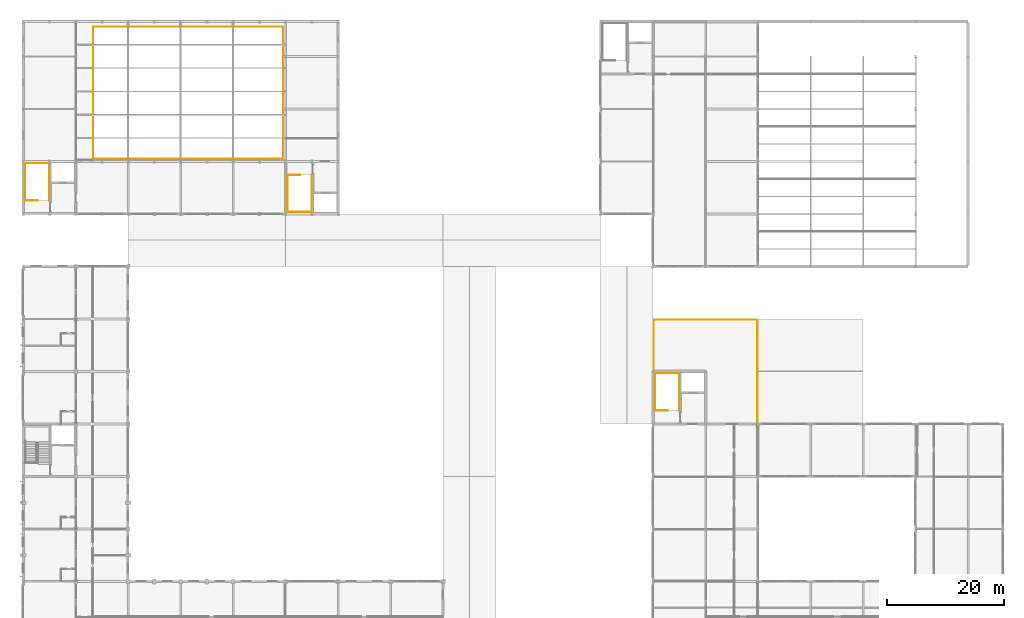
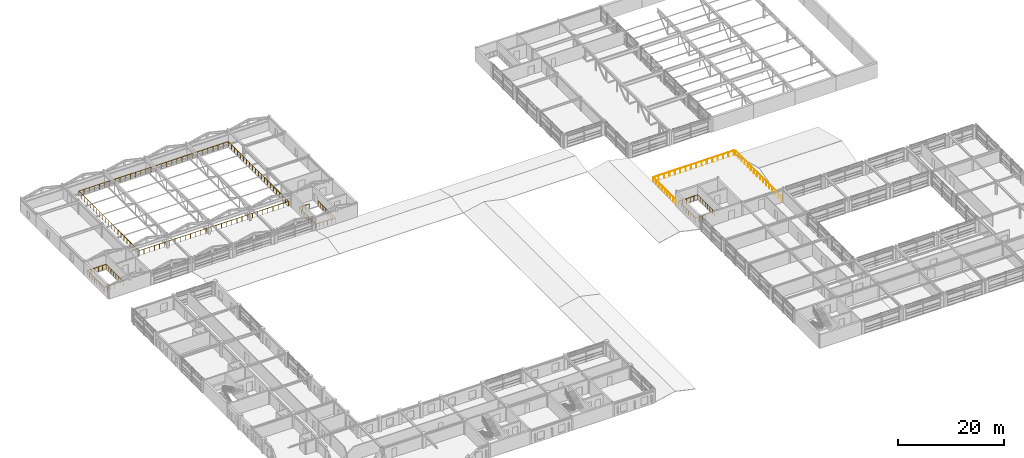
# One storey, part 90 of 91: 7 railings.
"""IFC4 building model written with IfcOpenShell, lengths in metres."""

from ifc_helpers import new_model, si_unit, direction, frame, origin, origin_2d, place, context, subcontext, project, spatial, circle, extrude, material, type_object, element, save


model = new_model("IFC4")

# Units and contexts
model_context = context("Model", 3, precision=1e-05, world=origin(), true_north=direction((0.0, 1.0)))
body_context = subcontext(model_context, "Body", "Model", "MODEL_VIEW")
ifc_project = project(units=[si_unit("LENGTHUNIT", "METRE"), si_unit("AREAUNIT", "SQUARE_METRE"), si_unit("VOLUMEUNIT", "CUBIC_METRE"), si_unit("PLANEANGLEUNIT", "RADIAN"), si_unit("MASSUNIT", "GRAM", prefix="KILO")], contexts=[model_context])

# Site, building, storey
site_placement = place(None, origin())
site = spatial("IfcSite", under=ifc_project, at=site_placement, CompositionType="ELEMENT")
building_placement = place(site_placement, origin())
building = spatial("IfcBuilding", under=site, at=building_placement, Name="Palais des Congres Ocreval", CompositionType="ELEMENT")
storey_placement = place(building_placement, frame((0.0, 0.0, 8.159912109375)))
storey = spatial("IfcBuildingStorey", under=building, at=storey_placement, Name="L02", CompositionType="ELEMENT", Elevation=8.159912109375)

# Railings
ifc_material_1 = material(Name="Steel S355", Category="steel")
railing_type_1 = type_object("IfcRailingType", Name="Stairwell Steel Guardrail 1100", PredefinedType="GUARDRAIL", material=ifc_material_1)
railing_1_placement = place(storey_placement, frame((2.52001953125, 83.300048828125, 0.0)))
element("IfcRailing", 1, at=railing_1_placement, inside=storey, type_object=railing_type_1, Name="Top-Landing Stairwell Perimeter Guard ST05 L02", PredefinedType="GUARDRAIL", context=body_context, shape_type="SweptSolid", body=[
    extrude(circle(Radius=0.02392578125, at=origin_2d()), frame((0.0, 0.0, 1.076171875), z_axis=(-1.0, 0.0, 0.0), x_axis=(0.0, -1.0, 0.0)), (0.0, 0.0, 1.0), 2.199951171875),
    extrude(circle(Radius=0.02392578125, at=origin_2d()), frame((-2.199951171875, 0.0, 1.076171875), z_axis=(0.0, 1.0, 0.0), x_axis=(-1.0, 0.0, 0.0)), (0.0, 0.0, 1.0), 6.3798828125),
    extrude(circle(Radius=0.02392578125, at=origin_2d()), frame((-2.199951171875, 6.3798828125, 1.076171875), z_axis=(1.0, 0.0, 0.0), x_axis=(0.0, 1.0, 0.0)), (0.0, 0.0, 1.0), 4.159912109375),
    extrude(circle(Radius=0.02392578125, at=origin_2d()), frame((1.9599609375, 6.3798828125, 1.076171875), z_axis=(0.0, -1.0, 0.0), x_axis=(1.0, 0.0, 0.0)), (0.0, 0.0, 1.0), 6.3798828125),
    extrude(circle(Radius=0.02099609375, at=origin_2d()), origin(), (0.0, 0.0, 1.0), 1.052001953125),
    extrude(circle(Radius=0.02099609375, at=origin_2d()), frame((-0.7333984375, 0.0, 0.0)), (0.0, 0.0, 1.0), 1.052001953125),
    extrude(circle(Radius=0.02099609375, at=origin_2d()), frame((-1.466552734375, 0.0, 0.0)), (0.0, 0.0, 1.0), 1.052001953125),
    extrude(circle(Radius=0.02099609375, at=origin_2d()), frame((-2.199951171875, 0.0, 0.0)), (0.0, 0.0, 1.0), 1.052001953125),
    extrude(circle(Radius=0.02099609375, at=origin_2d()), frame((-2.199951171875, 0.911376953125, 0.0)), (0.0, 0.0, 1.0), 1.052001953125),
    extrude(circle(Radius=0.02099609375, at=origin_2d()), frame((-2.199951171875, 1.82275390625, 0.0)), (0.0, 0.0, 1.0), 1.052001953125),
    extrude(circle(Radius=0.02099609375, at=origin_2d()), frame((-2.199951171875, 2.734130859375, 0.0)), (0.0, 0.0, 1.0), 1.052001953125),
    extrude(circle(Radius=0.02099609375, at=origin_2d()), frame((-2.199951171875, 3.645751953125, 0.0)), (0.0, 0.0, 1.0), 1.052001953125),
    extrude(circle(Radius=0.02099609375, at=origin_2d()), frame((-2.199951171875, 4.55712890625, 0.0)), (0.0, 0.0, 1.0), 1.052001953125),
    extrude(circle(Radius=0.02099609375, at=origin_2d()), frame((-2.199951171875, 5.468505859375, 0.0)), (0.0, 0.0, 1.0), 1.052001953125),
    extrude(circle(Radius=0.02099609375, at=origin_2d()), frame((-2.199951171875, 6.3798828125, 0.0)), (0.0, 0.0, 1.0), 1.052001953125),
    extrude(circle(Radius=0.02099609375, at=origin_2d()), frame((-1.367919921875, 6.3798828125, 0.0)), (0.0, 0.0, 1.0), 1.052001953125),
    extrude(circle(Radius=0.02099609375, at=origin_2d()), frame((-0.535888671875, 6.3798828125, 0.0)), (0.0, 0.0, 1.0), 1.052001953125),
    extrude(circle(Radius=0.02099609375, at=origin_2d()), frame((0.2958984375, 6.3798828125, 0.0)), (0.0, 0.0, 1.0), 1.052001953125),
    extrude(circle(Radius=0.02099609375, at=origin_2d()), frame((1.1279296875, 6.3798828125, 0.0)), (0.0, 0.0, 1.0), 1.052001953125),
    extrude(circle(Radius=0.02099609375, at=origin_2d()), frame((1.9599609375, 6.3798828125, 0.0)), (0.0, 0.0, 1.0), 1.052001953125),
    extrude(circle(Radius=0.02099609375, at=origin_2d()), frame((1.9599609375, 5.468505859375, 0.0)), (0.0, 0.0, 1.0), 1.052001953125),
    extrude(circle(Radius=0.02099609375, at=origin_2d()), frame((1.9599609375, 4.55712890625, 0.0)), (0.0, 0.0, 1.0), 1.052001953125),
    extrude(circle(Radius=0.02099609375, at=origin_2d()), frame((1.9599609375, 3.645751953125, 0.0)), (0.0, 0.0, 1.0), 1.052001953125),
    extrude(circle(Radius=0.02099609375, at=origin_2d()), frame((1.9599609375, 2.734130859375, 0.0)), (0.0, 0.0, 1.0), 1.052001953125),
    extrude(circle(Radius=0.02099609375, at=origin_2d()), frame((1.9599609375, 1.82275390625, 0.0)), (0.0, 0.0, 1.0), 1.052001953125),
    extrude(circle(Radius=0.02099609375, at=origin_2d()), frame((1.9599609375, 0.911376953125, 0.0)), (0.0, 0.0, 1.0), 1.052001953125),
    extrude(circle(Radius=0.02099609375, at=origin_2d()), frame((1.9599609375, 0.0, 0.0)), (0.0, 0.0, 1.0), 1.052001953125),
])
railing_2_placement = place(storey_placement, frame((47.52001953125, 87.699951171875, 0.0)))
element("IfcRailing", 2, at=railing_2_placement, inside=storey, type_object=railing_type_1, Name="Top-Landing Stairwell Perimeter Guard ST06 L02", PredefinedType="GUARDRAIL", context=body_context, shape_type="SweptSolid", body=[
    extrude(circle(Radius=0.02392578125, at=origin_2d()), frame((0.0, 0.0, 1.076171875), z_axis=(-1.0, 0.0, 0.0), x_axis=(0.0, -1.0, 0.0)), (0.0, 0.0, 1.0), 2.199951171875),
    extrude(circle(Radius=0.02392578125, at=origin_2d()), frame((-2.199951171875, 0.0, 1.076171875), z_axis=(0.0, -1.0, 0.0), x_axis=(1.0, 0.0, 0.0)), (0.0, 0.0, 1.0), 6.3798828125),
    extrude(circle(Radius=0.02392578125, at=origin_2d()), frame((-2.199951171875, -6.3798828125, 1.076171875), z_axis=(1.0, 0.0, 0.0), x_axis=(0.0, 1.0, 0.0)), (0.0, 0.0, 1.0), 4.159912109375),
    extrude(circle(Radius=0.02392578125, at=origin_2d()), frame((1.9599609375, -6.3798828125, 1.076171875), z_axis=(0.0, 1.0, 0.0), x_axis=(-1.0, 0.0, 0.0)), (0.0, 0.0, 1.0), 6.3798828125),
    extrude(circle(Radius=0.02099609375, at=origin_2d()), origin(), (0.0, 0.0, 1.0), 1.052001953125),
    extrude(circle(Radius=0.02099609375, at=origin_2d()), frame((-0.7333984375, 0.0, 0.0)), (0.0, 0.0, 1.0), 1.052001953125),
    extrude(circle(Radius=0.02099609375, at=origin_2d()), frame((-1.466552734375, 0.0, 0.0)), (0.0, 0.0, 1.0), 1.052001953125),
    extrude(circle(Radius=0.02099609375, at=origin_2d()), frame((-2.199951171875, 0.0, 0.0)), (0.0, 0.0, 1.0), 1.052001953125),
    extrude(circle(Radius=0.02099609375, at=origin_2d()), frame((-2.199951171875, -0.911376953125, 0.0)), (0.0, 0.0, 1.0), 1.052001953125),
    extrude(circle(Radius=0.02099609375, at=origin_2d()), frame((-2.199951171875, -1.82275390625, 0.0)), (0.0, 0.0, 1.0), 1.052001953125),
    extrude(circle(Radius=0.02099609375, at=origin_2d()), frame((-2.199951171875, -2.734130859375, 0.0)), (0.0, 0.0, 1.0), 1.052001953125),
    extrude(circle(Radius=0.02099609375, at=origin_2d()), frame((-2.199951171875, -3.645751953125, 0.0)), (0.0, 0.0, 1.0), 1.052001953125),
    extrude(circle(Radius=0.02099609375, at=origin_2d()), frame((-2.199951171875, -4.55712890625, 0.0)), (0.0, 0.0, 1.0), 1.052001953125),
    extrude(circle(Radius=0.02099609375, at=origin_2d()), frame((-2.199951171875, -5.468505859375, 0.0)), (0.0, 0.0, 1.0), 1.052001953125),
    extrude(circle(Radius=0.02099609375, at=origin_2d()), frame((-2.199951171875, -6.3798828125, 0.0)), (0.0, 0.0, 1.0), 1.052001953125),
    extrude(circle(Radius=0.02099609375, at=origin_2d()), frame((-1.367919921875, -6.3798828125, 0.0)), (0.0, 0.0, 1.0), 1.052001953125),
    extrude(circle(Radius=0.02099609375, at=origin_2d()), frame((-0.535888671875, -6.3798828125, 0.0)), (0.0, 0.0, 1.0), 1.052001953125),
    extrude(circle(Radius=0.02099609375, at=origin_2d()), frame((0.2958984375, -6.3798828125, 0.0)), (0.0, 0.0, 1.0), 1.052001953125),
    extrude(circle(Radius=0.02099609375, at=origin_2d()), frame((1.1279296875, -6.3798828125, 0.0)), (0.0, 0.0, 1.0), 1.052001953125),
    extrude(circle(Radius=0.02099609375, at=origin_2d()), frame((1.9599609375, -6.3798828125, 0.0)), (0.0, 0.0, 1.0), 1.052001953125),
    extrude(circle(Radius=0.02099609375, at=origin_2d()), frame((1.9599609375, -5.468505859375, 0.0)), (0.0, 0.0, 1.0), 1.052001953125),
    extrude(circle(Radius=0.02099609375, at=origin_2d()), frame((1.9599609375, -4.55712890625, 0.0)), (0.0, 0.0, 1.0), 1.052001953125),
    extrude(circle(Radius=0.02099609375, at=origin_2d()), frame((1.9599609375, -3.645751953125, 0.0)), (0.0, 0.0, 1.0), 1.052001953125),
    extrude(circle(Radius=0.02099609375, at=origin_2d()), frame((1.9599609375, -2.734130859375, 0.0)), (0.0, 0.0, 1.0), 1.052001953125),
    extrude(circle(Radius=0.02099609375, at=origin_2d()), frame((1.9599609375, -1.82275390625, 0.0)), (0.0, 0.0, 1.0), 1.052001953125),
    extrude(circle(Radius=0.02099609375, at=origin_2d()), frame((1.9599609375, -0.911376953125, 0.0)), (0.0, 0.0, 1.0), 1.052001953125),
    extrude(circle(Radius=0.02099609375, at=origin_2d()), frame((1.9599609375, 0.0, 0.0)), (0.0, 0.0, 1.0), 1.052001953125),
])
railing_3_placement = place(storey_placement, frame((110.52001953125, 47.300048828125, 0.0)))
element("IfcRailing", 3, at=railing_3_placement, inside=storey, type_object=railing_type_1, Name="Top-Landing Stairwell Perimeter Guard ST10 L02", PredefinedType="GUARDRAIL", context=body_context, shape_type="SweptSolid", body=[
    extrude(circle(Radius=0.02392578125, at=origin_2d()), frame((0.0, 0.0, 1.076171875), z_axis=(-1.0, 0.0, 0.0), x_axis=(0.0, -1.0, 0.0)), (0.0, 0.0, 1.0), 2.199951171875),
    extrude(circle(Radius=0.02392578125, at=origin_2d()), frame((-2.199951171875, 0.0, 1.076171875), z_axis=(0.0, 1.0, 0.0), x_axis=(-1.0, 0.0, 0.0)), (0.0, 0.0, 1.0), 6.3798828125),
    extrude(circle(Radius=0.02392578125, at=origin_2d()), frame((-2.199951171875, 6.3798828125, 1.076171875), z_axis=(1.0, 0.0, 0.0), x_axis=(0.0, 1.0, 0.0)), (0.0, 0.0, 1.0), 4.159912109375),
    extrude(circle(Radius=0.02392578125, at=origin_2d()), frame((1.9599609375, 6.3798828125, 1.076171875), z_axis=(0.0, -1.0, 0.0), x_axis=(1.0, 0.0, 0.0)), (0.0, 0.0, 1.0), 6.3798828125),
    extrude(circle(Radius=0.02099609375, at=origin_2d()), origin(), (0.0, 0.0, 1.0), 1.052001953125),
    extrude(circle(Radius=0.02099609375, at=origin_2d()), frame((-0.7333984375, 0.0, 0.0)), (0.0, 0.0, 1.0), 1.052001953125),
    extrude(circle(Radius=0.02099609375, at=origin_2d()), frame((-1.466552734375, 0.0, 0.0)), (0.0, 0.0, 1.0), 1.052001953125),
    extrude(circle(Radius=0.02099609375, at=origin_2d()), frame((-2.199951171875, 0.0, 0.0)), (0.0, 0.0, 1.0), 1.052001953125),
    extrude(circle(Radius=0.02099609375, at=origin_2d()), frame((-2.199951171875, 0.911376953125, 0.0)), (0.0, 0.0, 1.0), 1.052001953125),
    extrude(circle(Radius=0.02099609375, at=origin_2d()), frame((-2.199951171875, 1.82275390625, 0.0)), (0.0, 0.0, 1.0), 1.052001953125),
    extrude(circle(Radius=0.02099609375, at=origin_2d()), frame((-2.199951171875, 2.734130859375, 0.0)), (0.0, 0.0, 1.0), 1.052001953125),
    extrude(circle(Radius=0.02099609375, at=origin_2d()), frame((-2.199951171875, 3.645751953125, 0.0)), (0.0, 0.0, 1.0), 1.052001953125),
    extrude(circle(Radius=0.02099609375, at=origin_2d()), frame((-2.199951171875, 4.55712890625, 0.0)), (0.0, 0.0, 1.0), 1.052001953125),
    extrude(circle(Radius=0.02099609375, at=origin_2d()), frame((-2.199951171875, 5.468505859375, 0.0)), (0.0, 0.0, 1.0), 1.052001953125),
    extrude(circle(Radius=0.02099609375, at=origin_2d()), frame((-2.199951171875, 6.3798828125, 0.0)), (0.0, 0.0, 1.0), 1.052001953125),
    extrude(circle(Radius=0.02099609375, at=origin_2d()), frame((-1.367919921875, 6.3798828125, 0.0)), (0.0, 0.0, 1.0), 1.052001953125),
    extrude(circle(Radius=0.02099609375, at=origin_2d()), frame((-0.535888671875, 6.3798828125, 0.0)), (0.0, 0.0, 1.0), 1.052001953125),
    extrude(circle(Radius=0.02099609375, at=origin_2d()), frame((0.2958984375, 6.3798828125, 0.0)), (0.0, 0.0, 1.0), 1.052001953125),
    extrude(circle(Radius=0.02099609375, at=origin_2d()), frame((1.1279296875, 6.3798828125, 0.0)), (0.0, 0.0, 1.0), 1.052001953125),
    extrude(circle(Radius=0.02099609375, at=origin_2d()), frame((1.9599609375, 6.3798828125, 0.0)), (0.0, 0.0, 1.0), 1.052001953125),
    extrude(circle(Radius=0.02099609375, at=origin_2d()), frame((1.9599609375, 5.468505859375, 0.0)), (0.0, 0.0, 1.0), 1.052001953125),
    extrude(circle(Radius=0.02099609375, at=origin_2d()), frame((1.9599609375, 4.55712890625, 0.0)), (0.0, 0.0, 1.0), 1.052001953125),
    extrude(circle(Radius=0.02099609375, at=origin_2d()), frame((1.9599609375, 3.645751953125, 0.0)), (0.0, 0.0, 1.0), 1.052001953125),
    extrude(circle(Radius=0.02099609375, at=origin_2d()), frame((1.9599609375, 2.734130859375, 0.0)), (0.0, 0.0, 1.0), 1.052001953125),
    extrude(circle(Radius=0.02099609375, at=origin_2d()), frame((1.9599609375, 1.82275390625, 0.0)), (0.0, 0.0, 1.0), 1.052001953125),
    extrude(circle(Radius=0.02099609375, at=origin_2d()), frame((1.9599609375, 0.911376953125, 0.0)), (0.0, 0.0, 1.0), 1.052001953125),
    extrude(circle(Radius=0.02099609375, at=origin_2d()), frame((1.9599609375, 0.0, 0.0)), (0.0, 0.0, 1.0), 1.052001953125),
])
ifc_material_2 = material(Name="Anodized bronze aluminium", Category="aluminium")
railing_type_2 = type_object("IfcRailingType", Name="Terrace Bronze Balustrade 1100", PredefinedType="BALUSTRADE", material=ifc_material_2)
railing_4_placement = place(storey_placement, frame((125.8798828125, 45.3798828125, 0.0)))
element("IfcRailing", 4, at=railing_4_placement, inside=storey, type_object=railing_type_2, Name="Terrace Guard Balustrade TER-L02-SPA-2", PredefinedType="BALUSTRADE", context=body_context, shape_type="SweptSolid", body=[
    extrude(circle(Radius=0.02392578125, at=origin_2d()), frame((0.0, 0.0, 1.076171875), z_axis=(0.0, 1.0, 0.0), x_axis=(-1.0, 0.0, 0.0)), (0.0, 0.0, 1.0), 17.240234375),
    extrude(circle(Radius=0.02099609375, at=origin_2d()), origin(), (0.0, 0.0, 1.0), 1.052001953125),
    extrude(circle(Radius=0.02099609375, at=origin_2d()), frame((0.0, 1.1494140625, 0.0)), (0.0, 0.0, 1.0), 1.052001953125),
    extrude(circle(Radius=0.02099609375, at=origin_2d()), frame((0.0, 2.298583984375, 0.0)), (0.0, 0.0, 1.0), 1.052001953125),
    extrude(circle(Radius=0.02099609375, at=origin_2d()), frame((0.0, 3.447998046875, 0.0)), (0.0, 0.0, 1.0), 1.052001953125),
    extrude(circle(Radius=0.02099609375, at=origin_2d()), frame((0.0, 4.597412109375, 0.0)), (0.0, 0.0, 1.0), 1.052001953125),
    extrude(circle(Radius=0.02099609375, at=origin_2d()), frame((0.0, 5.746826171875, 0.0)), (0.0, 0.0, 1.0), 1.052001953125),
    extrude(circle(Radius=0.02099609375, at=origin_2d()), frame((0.0, 6.89599609375, 0.0)), (0.0, 0.0, 1.0), 1.052001953125),
    extrude(circle(Radius=0.02099609375, at=origin_2d()), frame((0.0, 8.04541015625, 0.0)), (0.0, 0.0, 1.0), 1.052001953125),
    extrude(circle(Radius=0.02099609375, at=origin_2d()), frame((0.0, 9.19482421875, 0.0)), (0.0, 0.0, 1.0), 1.052001953125),
    extrude(circle(Radius=0.02099609375, at=origin_2d()), frame((0.0, 10.34423828125, 0.0)), (0.0, 0.0, 1.0), 1.052001953125),
    extrude(circle(Radius=0.02099609375, at=origin_2d()), frame((0.0, 11.493408203125, 0.0)), (0.0, 0.0, 1.0), 1.052001953125),
    extrude(circle(Radius=0.02099609375, at=origin_2d()), frame((0.0, 12.642822265625, 0.0)), (0.0, 0.0, 1.0), 1.052001953125),
    extrude(circle(Radius=0.02099609375, at=origin_2d()), frame((0.0, 13.792236328125, 0.0)), (0.0, 0.0, 1.0), 1.052001953125),
    extrude(circle(Radius=0.02099609375, at=origin_2d()), frame((0.0, 14.941650390625, 0.0)), (0.0, 0.0, 1.0), 1.052001953125),
    extrude(circle(Radius=0.02099609375, at=origin_2d()), frame((0.0, 16.0908203125, 0.0)), (0.0, 0.0, 1.0), 1.052001953125),
    extrude(circle(Radius=0.02099609375, at=origin_2d()), frame((0.0, 17.240234375, 0.0)), (0.0, 0.0, 1.0), 1.052001953125),
])
railing_5_placement = place(storey_placement, frame((125.6201171875, 62.8798828125, 0.0)))
element("IfcRailing", 5, at=railing_5_placement, inside=storey, type_object=railing_type_2, Name="Terrace Guard Balustrade TER-L02-SPA-3", PredefinedType="BALUSTRADE", context=body_context, shape_type="SweptSolid", body=[
    extrude(circle(Radius=0.02392578125, at=origin_2d()), frame((0.0, 0.0, 1.076171875), z_axis=(-1.0, 0.0, 0.0), x_axis=(0.0, -1.0, 0.0)), (0.0, 0.0, 1.0), 17.5),
    extrude(circle(Radius=0.02099609375, at=origin_2d()), origin(), (0.0, 0.0, 1.0), 1.052001953125),
    extrude(circle(Radius=0.02099609375, at=origin_2d()), frame((-1.166748046875, 0.0, 0.0)), (0.0, 0.0, 1.0), 1.052001953125),
    extrude(circle(Radius=0.02099609375, at=origin_2d()), frame((-2.333251953125, 0.0, 0.0)), (0.0, 0.0, 1.0), 1.052001953125),
    extrude(circle(Radius=0.02099609375, at=origin_2d()), frame((-3.5, 0.0, 0.0)), (0.0, 0.0, 1.0), 1.052001953125),
    extrude(circle(Radius=0.02099609375, at=origin_2d()), frame((-4.666748046875, 0.0, 0.0)), (0.0, 0.0, 1.0), 1.052001953125),
    extrude(circle(Radius=0.02099609375, at=origin_2d()), frame((-5.833251953125, 0.0, 0.0)), (0.0, 0.0, 1.0), 1.052001953125),
    extrude(circle(Radius=0.02099609375, at=origin_2d()), frame((-7.0, 0.0, 0.0)), (0.0, 0.0, 1.0), 1.052001953125),
    extrude(circle(Radius=0.02099609375, at=origin_2d()), frame((-8.166748046875, 0.0, 0.0)), (0.0, 0.0, 1.0), 1.052001953125),
    extrude(circle(Radius=0.02099609375, at=origin_2d()), frame((-9.333251953125, 0.0, 0.0)), (0.0, 0.0, 1.0), 1.052001953125),
    extrude(circle(Radius=0.02099609375, at=origin_2d()), frame((-10.5, 0.0, 0.0)), (0.0, 0.0, 1.0), 1.052001953125),
    extrude(circle(Radius=0.02099609375, at=origin_2d()), frame((-11.666748046875, 0.0, 0.0)), (0.0, 0.0, 1.0), 1.052001953125),
    extrude(circle(Radius=0.02099609375, at=origin_2d()), frame((-12.833251953125, 0.0, 0.0)), (0.0, 0.0, 1.0), 1.052001953125),
    extrude(circle(Radius=0.02099609375, at=origin_2d()), frame((-14.0, 0.0, 0.0)), (0.0, 0.0, 1.0), 1.052001953125),
    extrude(circle(Radius=0.02099609375, at=origin_2d()), frame((-15.166748046875, 0.0, 0.0)), (0.0, 0.0, 1.0), 1.052001953125),
    extrude(circle(Radius=0.02099609375, at=origin_2d()), frame((-16.333251953125, 0.0, 0.0)), (0.0, 0.0, 1.0), 1.052001953125),
    extrude(circle(Radius=0.02099609375, at=origin_2d()), frame((-17.5, 0.0, 0.0)), (0.0, 0.0, 1.0), 1.052001953125),
])
railing_6_placement = place(storey_placement, frame((108.1201171875, 62.8798828125, 0.0)))
element("IfcRailing", 6, at=railing_6_placement, inside=storey, type_object=railing_type_2, Name="Terrace Guard Balustrade TER-L02-SPA-4", PredefinedType="BALUSTRADE", context=body_context, shape_type="SweptSolid", body=[
    extrude(circle(Radius=0.02392578125, at=origin_2d()), frame((0.0, 0.0, 1.076171875), z_axis=(0.0, -1.0, 0.0), x_axis=(1.0, 0.0, 0.0)), (0.0, 0.0, 1.0), 8.5),
    extrude(circle(Radius=0.02099609375, at=origin_2d()), origin(), (0.0, 0.0, 1.0), 1.052001953125),
    extrude(circle(Radius=0.02099609375, at=origin_2d()), frame((0.0, -1.0625, 0.0)), (0.0, 0.0, 1.0), 1.052001953125),
    extrude(circle(Radius=0.02099609375, at=origin_2d()), frame((0.0, -2.125, 0.0)), (0.0, 0.0, 1.0), 1.052001953125),
    extrude(circle(Radius=0.02099609375, at=origin_2d()), frame((0.0, -3.1875, 0.0)), (0.0, 0.0, 1.0), 1.052001953125),
    extrude(circle(Radius=0.02099609375, at=origin_2d()), frame((0.0, -4.25, 0.0)), (0.0, 0.0, 1.0), 1.052001953125),
    extrude(circle(Radius=0.02099609375, at=origin_2d()), frame((0.0, -5.3125, 0.0)), (0.0, 0.0, 1.0), 1.052001953125),
    extrude(circle(Radius=0.02099609375, at=origin_2d()), frame((0.0, -6.375, 0.0)), (0.0, 0.0, 1.0), 1.052001953125),
    extrude(circle(Radius=0.02099609375, at=origin_2d()), frame((0.0, -7.4375, 0.0)), (0.0, 0.0, 1.0), 1.052001953125),
    extrude(circle(Radius=0.02099609375, at=origin_2d()), frame((0.0, -8.5, 0.0)), (0.0, 0.0, 1.0), 1.052001953125),
])
railing_7_placement = place(storey_placement, frame((12.02001953125, 90.419921875, 0.0)))
element("IfcRailing", 7, at=railing_7_placement, inside=storey, type_object=railing_type_2, Name="Atrium Void Guard Balustrade VOID-L02-CONGRESS", PredefinedType="BALUSTRADE", context=body_context, shape_type="SweptSolid", body=[
    extrude(circle(Radius=0.02392578125, at=origin_2d()), frame((0.0, 0.0, 1.076171875), z_axis=(1.0, 0.0, 0.0), x_axis=(0.0, 1.0, 0.0)), (0.0, 0.0, 1.0), 32.56005859375),
    extrude(circle(Radius=0.02392578125, at=origin_2d()), frame((32.56005859375, 0.0, 1.076171875), z_axis=(0.0, 1.0, 0.0), x_axis=(-1.0, 0.0, 0.0)), (0.0, 0.0, 1.0), 22.66015625),
    extrude(circle(Radius=0.02392578125, at=origin_2d()), frame((32.56005859375, 22.66015625, 1.076171875), z_axis=(-1.0, 0.0, 0.0), x_axis=(0.0, -1.0, 0.0)), (0.0, 0.0, 1.0), 32.56005859375),
    extrude(circle(Radius=0.02392578125, at=origin_2d()), frame((0.0, 22.66015625, 1.076171875), z_axis=(0.0, -1.0, 0.0), x_axis=(1.0, 0.0, 0.0)), (0.0, 0.0, 1.0), 22.66015625),
    extrude(circle(Radius=0.02099609375, at=origin_2d()), origin(), (0.0, 0.0, 1.0), 1.052001953125),
    extrude(circle(Radius=0.02099609375, at=origin_2d()), frame((1.122802734375, 0.0, 0.0)), (0.0, 0.0, 1.0), 1.052001953125),
    extrude(circle(Radius=0.02099609375, at=origin_2d()), frame((2.24560546875, 0.0, 0.0)), (0.0, 0.0, 1.0), 1.052001953125),
    extrude(circle(Radius=0.02099609375, at=origin_2d()), frame((3.3681640625, 0.0, 0.0)), (0.0, 0.0, 1.0), 1.052001953125),
    extrude(circle(Radius=0.02099609375, at=origin_2d()), frame((4.490966796875, 0.0, 0.0)), (0.0, 0.0, 1.0), 1.052001953125),
    extrude(circle(Radius=0.02099609375, at=origin_2d()), frame((5.61376953125, 0.0, 0.0)), (0.0, 0.0, 1.0), 1.052001953125),
    extrude(circle(Radius=0.02099609375, at=origin_2d()), frame((6.736572265625, 0.0, 0.0)), (0.0, 0.0, 1.0), 1.052001953125),
    extrude(circle(Radius=0.02099609375, at=origin_2d()), frame((7.859375, 0.0, 0.0)), (0.0, 0.0, 1.0), 1.052001953125),
    extrude(circle(Radius=0.02099609375, at=origin_2d()), frame((8.982177734375, 0.0, 0.0)), (0.0, 0.0, 1.0), 1.052001953125),
    extrude(circle(Radius=0.02099609375, at=origin_2d()), frame((10.104736328125, 0.0, 0.0)), (0.0, 0.0, 1.0), 1.052001953125),
    extrude(circle(Radius=0.02099609375, at=origin_2d()), frame((11.2275390625, 0.0, 0.0)), (0.0, 0.0, 1.0), 1.052001953125),
    extrude(circle(Radius=0.02099609375, at=origin_2d()), frame((12.350341796875, 0.0, 0.0)), (0.0, 0.0, 1.0), 1.052001953125),
    extrude(circle(Radius=0.02099609375, at=origin_2d()), frame((13.47314453125, 0.0, 0.0)), (0.0, 0.0, 1.0), 1.052001953125),
    extrude(circle(Radius=0.02099609375, at=origin_2d()), frame((14.595947265625, 0.0, 0.0)), (0.0, 0.0, 1.0), 1.052001953125),
    extrude(circle(Radius=0.02099609375, at=origin_2d()), frame((15.71875, 0.0, 0.0)), (0.0, 0.0, 1.0), 1.052001953125),
    extrude(circle(Radius=0.02099609375, at=origin_2d()), frame((16.84130859375, 0.0, 0.0)), (0.0, 0.0, 1.0), 1.052001953125),
    extrude(circle(Radius=0.02099609375, at=origin_2d()), frame((17.964111328125, 0.0, 0.0)), (0.0, 0.0, 1.0), 1.052001953125),
    extrude(circle(Radius=0.02099609375, at=origin_2d()), frame((19.0869140625, 0.0, 0.0)), (0.0, 0.0, 1.0), 1.052001953125),
    extrude(circle(Radius=0.02099609375, at=origin_2d()), frame((20.209716796875, 0.0, 0.0)), (0.0, 0.0, 1.0), 1.052001953125),
    extrude(circle(Radius=0.02099609375, at=origin_2d()), frame((21.33251953125, 0.0, 0.0)), (0.0, 0.0, 1.0), 1.052001953125),
    extrude(circle(Radius=0.02099609375, at=origin_2d()), frame((22.455322265625, 0.0, 0.0)), (0.0, 0.0, 1.0), 1.052001953125),
    extrude(circle(Radius=0.02099609375, at=origin_2d()), frame((23.577880859375, 0.0, 0.0)), (0.0, 0.0, 1.0), 1.052001953125),
    extrude(circle(Radius=0.02099609375, at=origin_2d()), frame((24.70068359375, 0.0, 0.0)), (0.0, 0.0, 1.0), 1.052001953125),
    extrude(circle(Radius=0.02099609375, at=origin_2d()), frame((25.823486328125, 0.0, 0.0)), (0.0, 0.0, 1.0), 1.052001953125),
    extrude(circle(Radius=0.02099609375, at=origin_2d()), frame((26.9462890625, 0.0, 0.0)), (0.0, 0.0, 1.0), 1.052001953125),
    extrude(circle(Radius=0.02099609375, at=origin_2d()), frame((28.069091796875, 0.0, 0.0)), (0.0, 0.0, 1.0), 1.052001953125),
    extrude(circle(Radius=0.02099609375, at=origin_2d()), frame((29.19189453125, 0.0, 0.0)), (0.0, 0.0, 1.0), 1.052001953125),
    extrude(circle(Radius=0.02099609375, at=origin_2d()), frame((30.314453125, 0.0, 0.0)), (0.0, 0.0, 1.0), 1.052001953125),
    extrude(circle(Radius=0.02099609375, at=origin_2d()), frame((31.437255859375, 0.0, 0.0)), (0.0, 0.0, 1.0), 1.052001953125),
    extrude(circle(Radius=0.02099609375, at=origin_2d()), frame((32.56005859375, 0.0, 0.0)), (0.0, 0.0, 1.0), 1.052001953125),
    extrude(circle(Radius=0.02099609375, at=origin_2d()), frame((32.56005859375, 1.133056640625, 0.0)), (0.0, 0.0, 1.0), 1.052001953125),
    extrude(circle(Radius=0.02099609375, at=origin_2d()), frame((32.56005859375, 2.26611328125, 0.0)), (0.0, 0.0, 1.0), 1.052001953125),
    extrude(circle(Radius=0.02099609375, at=origin_2d()), frame((32.56005859375, 3.39892578125, 0.0)), (0.0, 0.0, 1.0), 1.052001953125),
    extrude(circle(Radius=0.02099609375, at=origin_2d()), frame((32.56005859375, 4.531982421875, 0.0)), (0.0, 0.0, 1.0), 1.052001953125),
    extrude(circle(Radius=0.02099609375, at=origin_2d()), frame((32.56005859375, 5.6650390625, 0.0)), (0.0, 0.0, 1.0), 1.052001953125),
    extrude(circle(Radius=0.02099609375, at=origin_2d()), frame((32.56005859375, 6.798095703125, 0.0)), (0.0, 0.0, 1.0), 1.052001953125),
    extrude(circle(Radius=0.02099609375, at=origin_2d()), frame((32.56005859375, 7.93115234375, 0.0)), (0.0, 0.0, 1.0), 1.052001953125),
    extrude(circle(Radius=0.02099609375, at=origin_2d()), frame((32.56005859375, 9.06396484375, 0.0)), (0.0, 0.0, 1.0), 1.052001953125),
    extrude(circle(Radius=0.02099609375, at=origin_2d()), frame((32.56005859375, 10.197021484375, 0.0)), (0.0, 0.0, 1.0), 1.052001953125),
    extrude(circle(Radius=0.02099609375, at=origin_2d()), frame((32.56005859375, 11.330078125, 0.0)), (0.0, 0.0, 1.0), 1.052001953125),
    extrude(circle(Radius=0.02099609375, at=origin_2d()), frame((32.56005859375, 12.463134765625, 0.0)), (0.0, 0.0, 1.0), 1.052001953125),
    extrude(circle(Radius=0.02099609375, at=origin_2d()), frame((32.56005859375, 13.59619140625, 0.0)), (0.0, 0.0, 1.0), 1.052001953125),
    extrude(circle(Radius=0.02099609375, at=origin_2d()), frame((32.56005859375, 14.72900390625, 0.0)), (0.0, 0.0, 1.0), 1.052001953125),
    extrude(circle(Radius=0.02099609375, at=origin_2d()), frame((32.56005859375, 15.862060546875, 0.0)), (0.0, 0.0, 1.0), 1.052001953125),
    extrude(circle(Radius=0.02099609375, at=origin_2d()), frame((32.56005859375, 16.9951171875, 0.0)), (0.0, 0.0, 1.0), 1.052001953125),
    extrude(circle(Radius=0.02099609375, at=origin_2d()), frame((32.56005859375, 18.128173828125, 0.0)), (0.0, 0.0, 1.0), 1.052001953125),
    extrude(circle(Radius=0.02099609375, at=origin_2d()), frame((32.56005859375, 19.26123046875, 0.0)), (0.0, 0.0, 1.0), 1.052001953125),
    extrude(circle(Radius=0.02099609375, at=origin_2d()), frame((32.56005859375, 20.39404296875, 0.0)), (0.0, 0.0, 1.0), 1.052001953125),
    extrude(circle(Radius=0.02099609375, at=origin_2d()), frame((32.56005859375, 21.527099609375, 0.0)), (0.0, 0.0, 1.0), 1.052001953125),
    extrude(circle(Radius=0.02099609375, at=origin_2d()), frame((32.56005859375, 22.66015625, 0.0)), (0.0, 0.0, 1.0), 1.052001953125),
    extrude(circle(Radius=0.02099609375, at=origin_2d()), frame((31.437255859375, 22.66015625, 0.0)), (0.0, 0.0, 1.0), 1.052001953125),
    extrude(circle(Radius=0.02099609375, at=origin_2d()), frame((30.314453125, 22.66015625, 0.0)), (0.0, 0.0, 1.0), 1.052001953125),
    extrude(circle(Radius=0.02099609375, at=origin_2d()), frame((29.19189453125, 22.66015625, 0.0)), (0.0, 0.0, 1.0), 1.052001953125),
    extrude(circle(Radius=0.02099609375, at=origin_2d()), frame((28.069091796875, 22.66015625, 0.0)), (0.0, 0.0, 1.0), 1.052001953125),
    extrude(circle(Radius=0.02099609375, at=origin_2d()), frame((26.9462890625, 22.66015625, 0.0)), (0.0, 0.0, 1.0), 1.052001953125),
    extrude(circle(Radius=0.02099609375, at=origin_2d()), frame((25.823486328125, 22.66015625, 0.0)), (0.0, 0.0, 1.0), 1.052001953125),
    extrude(circle(Radius=0.02099609375, at=origin_2d()), frame((24.70068359375, 22.66015625, 0.0)), (0.0, 0.0, 1.0), 1.052001953125),
    extrude(circle(Radius=0.02099609375, at=origin_2d()), frame((23.577880859375, 22.66015625, 0.0)), (0.0, 0.0, 1.0), 1.052001953125),
    extrude(circle(Radius=0.02099609375, at=origin_2d()), frame((22.455322265625, 22.66015625, 0.0)), (0.0, 0.0, 1.0), 1.052001953125),
    extrude(circle(Radius=0.02099609375, at=origin_2d()), frame((21.33251953125, 22.66015625, 0.0)), (0.0, 0.0, 1.0), 1.052001953125),
    extrude(circle(Radius=0.02099609375, at=origin_2d()), frame((20.209716796875, 22.66015625, 0.0)), (0.0, 0.0, 1.0), 1.052001953125),
    extrude(circle(Radius=0.02099609375, at=origin_2d()), frame((19.0869140625, 22.66015625, 0.0)), (0.0, 0.0, 1.0), 1.052001953125),
    extrude(circle(Radius=0.02099609375, at=origin_2d()), frame((17.964111328125, 22.66015625, 0.0)), (0.0, 0.0, 1.0), 1.052001953125),
    extrude(circle(Radius=0.02099609375, at=origin_2d()), frame((16.84130859375, 22.66015625, 0.0)), (0.0, 0.0, 1.0), 1.052001953125),
    extrude(circle(Radius=0.02099609375, at=origin_2d()), frame((15.71875, 22.66015625, 0.0)), (0.0, 0.0, 1.0), 1.052001953125),
    extrude(circle(Radius=0.02099609375, at=origin_2d()), frame((14.595947265625, 22.66015625, 0.0)), (0.0, 0.0, 1.0), 1.052001953125),
    extrude(circle(Radius=0.02099609375, at=origin_2d()), frame((13.47314453125, 22.66015625, 0.0)), (0.0, 0.0, 1.0), 1.052001953125),
    extrude(circle(Radius=0.02099609375, at=origin_2d()), frame((12.350341796875, 22.66015625, 0.0)), (0.0, 0.0, 1.0), 1.052001953125),
    extrude(circle(Radius=0.02099609375, at=origin_2d()), frame((11.2275390625, 22.66015625, 0.0)), (0.0, 0.0, 1.0), 1.052001953125),
    extrude(circle(Radius=0.02099609375, at=origin_2d()), frame((10.104736328125, 22.66015625, 0.0)), (0.0, 0.0, 1.0), 1.052001953125),
    extrude(circle(Radius=0.02099609375, at=origin_2d()), frame((8.982177734375, 22.66015625, 0.0)), (0.0, 0.0, 1.0), 1.052001953125),
    extrude(circle(Radius=0.02099609375, at=origin_2d()), frame((7.859375, 22.66015625, 0.0)), (0.0, 0.0, 1.0), 1.052001953125),
    extrude(circle(Radius=0.02099609375, at=origin_2d()), frame((6.736572265625, 22.66015625, 0.0)), (0.0, 0.0, 1.0), 1.052001953125),
    extrude(circle(Radius=0.02099609375, at=origin_2d()), frame((5.61376953125, 22.66015625, 0.0)), (0.0, 0.0, 1.0), 1.052001953125),
    extrude(circle(Radius=0.02099609375, at=origin_2d()), frame((4.490966796875, 22.66015625, 0.0)), (0.0, 0.0, 1.0), 1.052001953125),
    extrude(circle(Radius=0.02099609375, at=origin_2d()), frame((3.3681640625, 22.66015625, 0.0)), (0.0, 0.0, 1.0), 1.052001953125),
    extrude(circle(Radius=0.02099609375, at=origin_2d()), frame((2.24560546875, 22.66015625, 0.0)), (0.0, 0.0, 1.0), 1.052001953125),
    extrude(circle(Radius=0.02099609375, at=origin_2d()), frame((1.122802734375, 22.66015625, 0.0)), (0.0, 0.0, 1.0), 1.052001953125),
    extrude(circle(Radius=0.02099609375, at=origin_2d()), frame((0.0, 22.66015625, 0.0)), (0.0, 0.0, 1.0), 1.052001953125),
    extrude(circle(Radius=0.02099609375, at=origin_2d()), frame((0.0, 21.527099609375, 0.0)), (0.0, 0.0, 1.0), 1.052001953125),
    extrude(circle(Radius=0.02099609375, at=origin_2d()), frame((0.0, 20.39404296875, 0.0)), (0.0, 0.0, 1.0), 1.052001953125),
    extrude(circle(Radius=0.02099609375, at=origin_2d()), frame((0.0, 19.26123046875, 0.0)), (0.0, 0.0, 1.0), 1.052001953125),
    extrude(circle(Radius=0.02099609375, at=origin_2d()), frame((0.0, 18.128173828125, 0.0)), (0.0, 0.0, 1.0), 1.052001953125),
    extrude(circle(Radius=0.02099609375, at=origin_2d()), frame((0.0, 16.9951171875, 0.0)), (0.0, 0.0, 1.0), 1.052001953125),
    extrude(circle(Radius=0.02099609375, at=origin_2d()), frame((0.0, 15.862060546875, 0.0)), (0.0, 0.0, 1.0), 1.052001953125),
    extrude(circle(Radius=0.02099609375, at=origin_2d()), frame((0.0, 14.72900390625, 0.0)), (0.0, 0.0, 1.0), 1.052001953125),
    extrude(circle(Radius=0.02099609375, at=origin_2d()), frame((0.0, 13.59619140625, 0.0)), (0.0, 0.0, 1.0), 1.052001953125),
    extrude(circle(Radius=0.02099609375, at=origin_2d()), frame((0.0, 12.463134765625, 0.0)), (0.0, 0.0, 1.0), 1.052001953125),
    extrude(circle(Radius=0.02099609375, at=origin_2d()), frame((0.0, 11.330078125, 0.0)), (0.0, 0.0, 1.0), 1.052001953125),
    extrude(circle(Radius=0.02099609375, at=origin_2d()), frame((0.0, 10.197021484375, 0.0)), (0.0, 0.0, 1.0), 1.052001953125),
    extrude(circle(Radius=0.02099609375, at=origin_2d()), frame((0.0, 9.06396484375, 0.0)), (0.0, 0.0, 1.0), 1.052001953125),
    extrude(circle(Radius=0.02099609375, at=origin_2d()), frame((0.0, 7.93115234375, 0.0)), (0.0, 0.0, 1.0), 1.052001953125),
    extrude(circle(Radius=0.02099609375, at=origin_2d()), frame((0.0, 6.798095703125, 0.0)), (0.0, 0.0, 1.0), 1.052001953125),
    extrude(circle(Radius=0.02099609375, at=origin_2d()), frame((0.0, 5.6650390625, 0.0)), (0.0, 0.0, 1.0), 1.052001953125),
    extrude(circle(Radius=0.02099609375, at=origin_2d()), frame((0.0, 4.531982421875, 0.0)), (0.0, 0.0, 1.0), 1.052001953125),
    extrude(circle(Radius=0.02099609375, at=origin_2d()), frame((0.0, 3.39892578125, 0.0)), (0.0, 0.0, 1.0), 1.052001953125),
    extrude(circle(Radius=0.02099609375, at=origin_2d()), frame((0.0, 2.26611328125, 0.0)), (0.0, 0.0, 1.0), 1.052001953125),
    extrude(circle(Radius=0.02099609375, at=origin_2d()), frame((0.0, 1.133056640625, 0.0)), (0.0, 0.0, 1.0), 1.052001953125),
])

save(model, "model.ifc")
